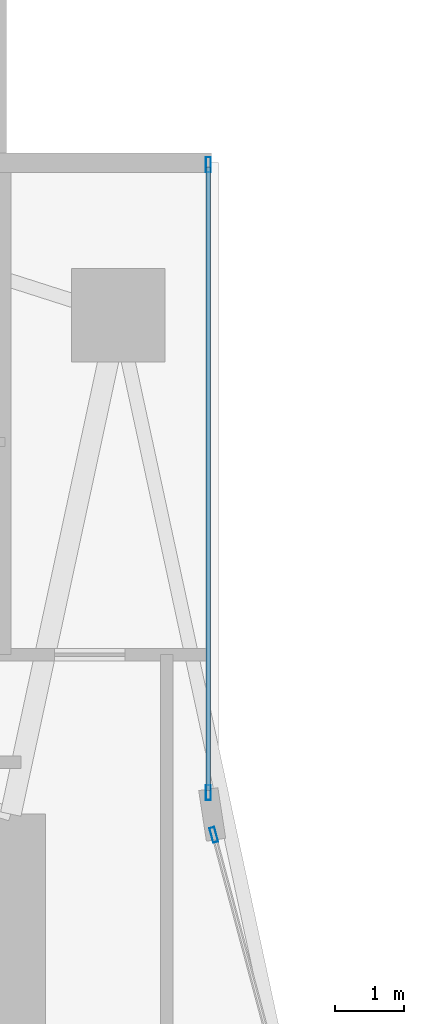
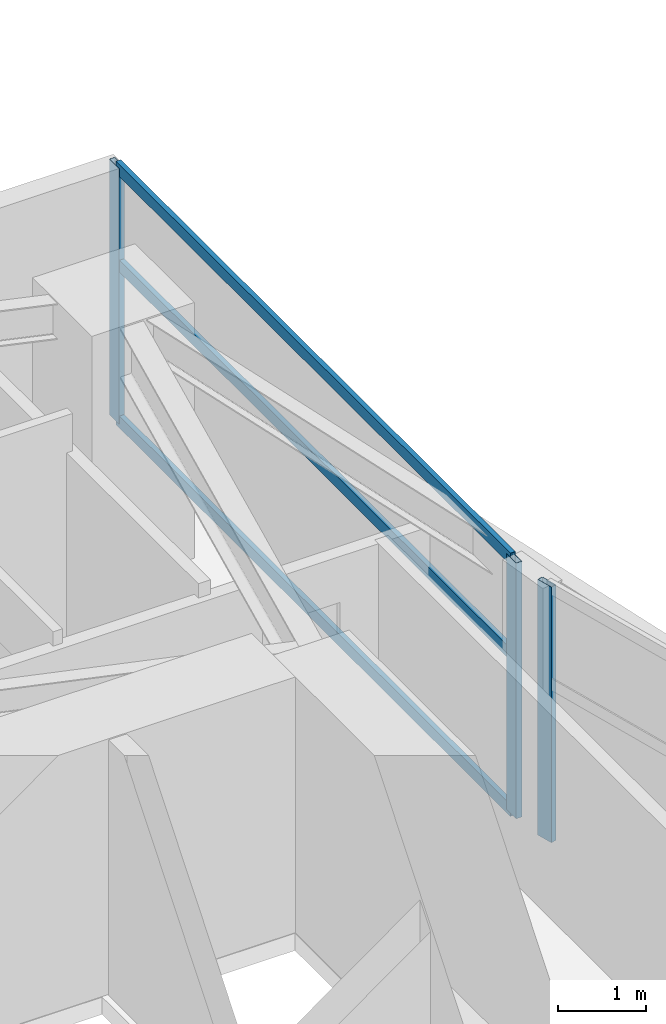
# One storey, part 18 of 29: 6 members, 2 elements without a shape of their own.
"""IFC4 building model written with IfcOpenShell, lengths in metres."""

from ifc_helpers import new_model, si_unit, direction, frame, origin, origin_2d, place, context, subcontext, project, spatial, hollow_rectangle, extrude, material, layer, layer_set, material_profile, profile_set, type_object, element, aggregate, save


model = new_model("IFC4")

# Units and contexts
model_context = context("Model", 3, precision=1e-05, world=origin(), true_north=direction((0.0, 1.0)))
body_context = subcontext(model_context, "Body", "Model", "MODEL_VIEW")
ifc_project = project(units=[si_unit("LENGTHUNIT", "METRE"), si_unit("AREAUNIT", "SQUARE_METRE"), si_unit("VOLUMEUNIT", "CUBIC_METRE"), si_unit("PLANEANGLEUNIT", "RADIAN"), si_unit("MASSUNIT", "GRAM", prefix="KILO")], contexts=[model_context])

# Site, building, storey
site_placement = place(None, origin())
site = spatial("IfcSite", under=ifc_project, at=site_placement, CompositionType="ELEMENT")
building_placement = place(site_placement, origin())
building = spatial("IfcBuilding", under=site, at=building_placement, Name="Calvorn Quay Hotel", CompositionType="ELEMENT")
storey_placement = place(building_placement, frame((0.0, 0.0, 58.39990234375)))
storey = spatial("IfcBuildingStorey", under=building, at=storey_placement, Name="L13", CompositionType="ELEMENT", Elevation=58.39990234375)

# Curtain wall, member
ifc_material_1 = material(Name="Pale Anodised Aluminium and Low-E Glass", Category="aluminium")
ifc_layer = layer(ifc_material_1, 0.219970703125)
ifc_layer_set = layer_set([ifc_layer], Name="CW-SYS-Z1")
curtain_wall_type = type_object("IfcCurtainWallType", Name="CW-SYS-Z1", PredefinedType="NOTDEFINED", material=ifc_layer_set)
curtain_wall_1_placement = place(storey_placement, origin())
curtain_wall_1 = element("IfcCurtainWall", 1, at=curtain_wall_1_placement, inside=storey, type_object=curtain_wall_type, Name="Inner Court Curtain Wall L13-IC1", PredefinedType="NOTDEFINED")
ifc_material_2 = material(Name="Pale Anodised Aluminium 6063-T6", Category="aluminium")
ifc_material_profile_1 = material_profile(ifc_material_2, hollow_rectangle(XDim=0.074951171875, YDim=0.219970703125, WallThickness=0.00439453125, at=origin_2d()), Name="ALU-M220x75x4.5")
ifc_profile_set_1 = profile_set([ifc_material_profile_1], Name="Pale Anodised Aluminium 6063-T6")
member_type_1 = type_object("IfcMemberType", Name="CW-SYS-Z1-MUL", PredefinedType="MULLION", material=ifc_profile_set_1)
member_1_placement = place(storey_placement, frame((17.9296875, 38.10107421875, 0.0), z_axis=(0.0, 0.0, 1.0), x_axis=(-0.96593652056, -0.25877913024, 0.0)))
member_1 = element("IfcMember", 2, at=member_1_placement, type_object=member_type_1, Name="CW-L13-IC1 mullion 2", PredefinedType="MULLION", context=body_context, shape_type="SweptSolid", body=[
    extrude(hollow_rectangle(XDim=0.074951171875, YDim=0.219970703125, WallThickness=0.00439453125, at=origin_2d()), origin(), (0.0, 0.0, 1.0), 3.56005859375),
])
aggregate(curtain_wall_1, [member_1])

# Curtain wall, members
curtain_wall_2_placement = place(storey_placement, origin())
curtain_wall_2 = element("IfcCurtainWall", 3, at=curtain_wall_2_placement, inside=storey, type_object=curtain_wall_type, Name="Inner Court Curtain Wall L13-IC2", PredefinedType="NOTDEFINED")
member_2_placement = place(storey_placement, frame((17.85009765625, 38.7099609375, 0.0), z_axis=(0.0, 0.0, 1.0), x_axis=(-1.0, 0.0, 0.0)))
member_2 = element("IfcMember", 4, at=member_2_placement, type_object=member_type_1, Name="CW-L13-IC2 mullion 1", PredefinedType="MULLION", context=body_context, shape_type="SweptSolid", body=[
    extrude(hollow_rectangle(XDim=0.074951171875, YDim=0.219970703125, WallThickness=0.00439453125, at=origin_2d()), origin(), (0.0, 0.0, 1.0), 3.56005859375),
])
member_3_placement = place(storey_placement, frame((17.85009765625, 47.77001953125, 0.0), z_axis=(0.0, 0.0, 1.0), x_axis=(-1.0, 0.0, 0.0)))
member_3 = element("IfcMember", 5, at=member_3_placement, type_object=member_type_1, Name="CW-L13-IC2 mullion 2", PredefinedType="MULLION", context=body_context, shape_type="SweptSolid", body=[
    extrude(hollow_rectangle(XDim=0.074951171875, YDim=0.219970703125, WallThickness=0.00439453125, at=origin_2d()), origin(), (0.0, 0.0, 1.0), 3.56005859375),
])
ifc_material_3 = material(Name="Pale Anodised Aluminium 6063-T6", Category="aluminium")
ifc_material_profile_2 = material_profile(ifc_material_3, hollow_rectangle(XDim=0.06494140625, YDim=0.1650390625, WallThickness=0.00341796875, at=origin_2d()), Name="ALU-T165x65x3.5")
ifc_profile_set_2 = profile_set([ifc_material_profile_2], Name="Pale Anodised Aluminium 6063-T6")
member_type_2 = type_object("IfcMemberType", Name="CW-SYS-Z1-TRN", PredefinedType="USERDEFINED", material=ifc_profile_set_2)
member_4_placement = place(storey_placement, frame((17.85009765625, 38.739990234375, 0.030029296875), z_axis=(0.0, 1.0, 0.0), x_axis=(-1.0, 0.0, 0.0)))
member_4 = element("IfcMember", 6, at=member_4_placement, type_object=member_type_2, Name="CW-L13-IC2 transom 1.1", ObjectType="TRANSOM", PredefinedType="USERDEFINED", context=body_context, shape_type="SweptSolid", body=[
    extrude(hollow_rectangle(XDim=0.06494140625, YDim=0.1650390625, WallThickness=0.00341796875, at=origin_2d()), origin(), (0.0, 0.0, 1.0), 9.0),
])
member_5_placement = place(storey_placement, frame((17.85009765625, 38.739990234375, 2.2001953125), z_axis=(0.0, 1.0, 0.0), x_axis=(-1.0, 0.0, 0.0)))
member_5 = element("IfcMember", 7, at=member_5_placement, type_object=member_type_2, Name="CW-L13-IC2 transom 1.2", ObjectType="TRANSOM", PredefinedType="USERDEFINED", context=body_context, shape_type="SweptSolid", body=[
    extrude(hollow_rectangle(XDim=0.06494140625, YDim=0.1650390625, WallThickness=0.00341796875, at=origin_2d()), origin(), (0.0, 0.0, 1.0), 9.0),
])
member_6_placement = place(storey_placement, frame((17.85009765625, 38.739990234375, 3.530029296875), z_axis=(0.0, 1.0, 0.0), x_axis=(-1.0, 0.0, 0.0)))
member_6 = element("IfcMember", 8, at=member_6_placement, type_object=member_type_2, Name="CW-L13-IC2 transom 1.3", ObjectType="TRANSOM", PredefinedType="USERDEFINED", context=body_context, shape_type="SweptSolid", body=[
    extrude(hollow_rectangle(XDim=0.06494140625, YDim=0.1650390625, WallThickness=0.00341796875, at=origin_2d()), origin(), (0.0, 0.0, 1.0), 9.0),
])
aggregate(curtain_wall_2, [member_2, member_3, member_4, member_5, member_6])

save(model, "model.ifc")
